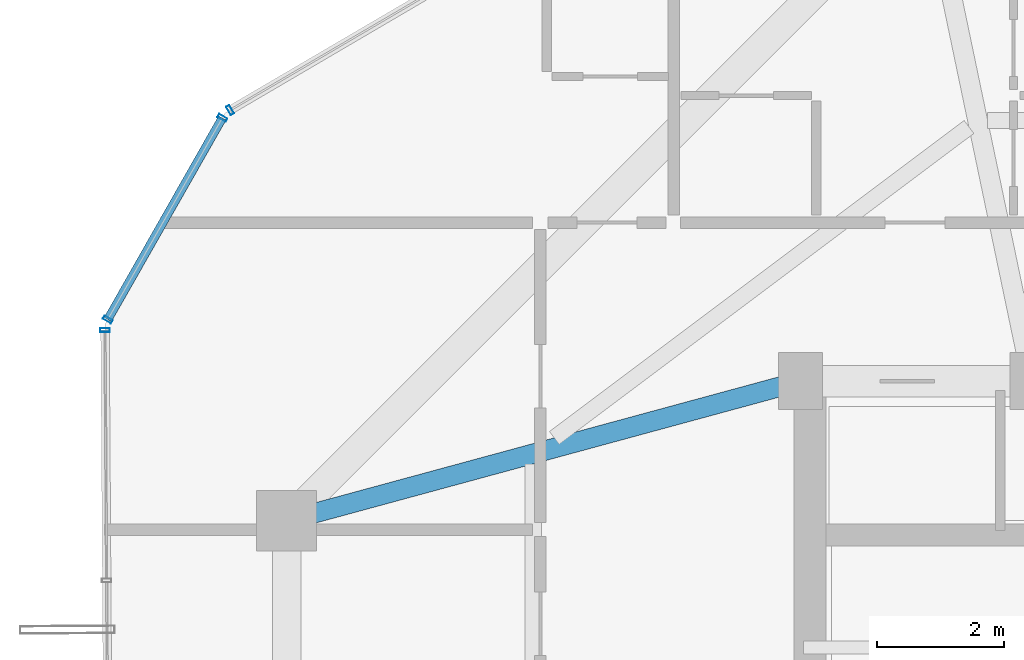
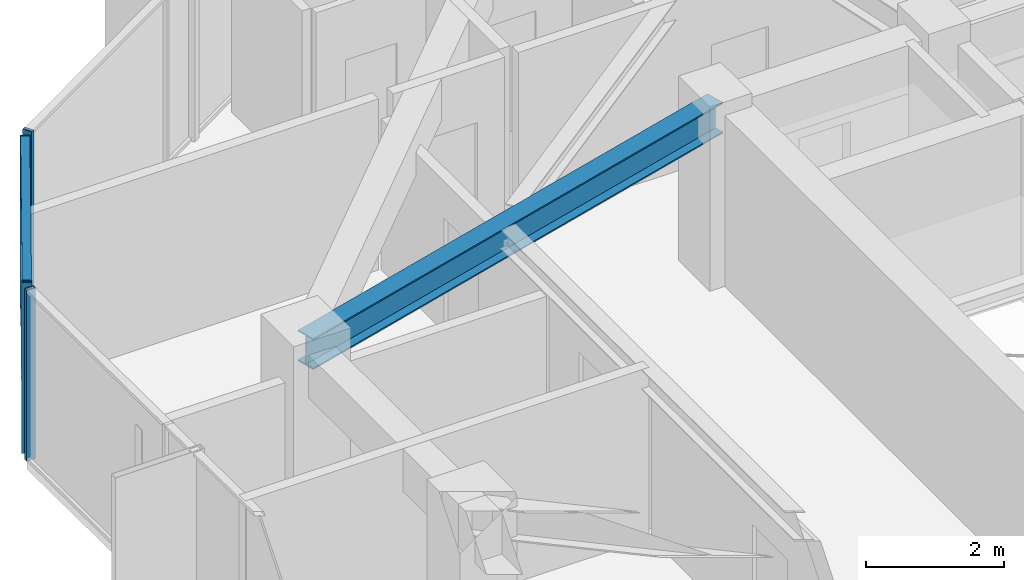
# One storey, part 15 of 31: 6 members, 1 beam, 3 elements without a shape of their own.
"""IFC4 building model written with IfcOpenShell, lengths in metres."""

from ifc_helpers import new_model, si_unit, direction, frame, origin, origin_2d, place, context, subcontext, project, spatial, hollow_rectangle, i_section, extrude, source, transform, mapped, material, layer, layer_set, material_profile, profile_set, type_object, element, aggregate, save


model = new_model("IFC4")

# Units and contexts
model_context = context("Model", 3, precision=1e-05, world=origin(), true_north=direction((0.0, 1.0)))
body_context = subcontext(model_context, "Body", "Model", "MODEL_VIEW")
ifc_project = project(units=[si_unit("LENGTHUNIT", "METRE"), si_unit("AREAUNIT", "SQUARE_METRE"), si_unit("VOLUMEUNIT", "CUBIC_METRE"), si_unit("PLANEANGLEUNIT", "RADIAN"), si_unit("MASSUNIT", "GRAM", prefix="KILO")], contexts=[model_context])

# Site, building, storey
site_placement = place(None, origin())
site = spatial("IfcSite", under=ifc_project, at=site_placement, CompositionType="ELEMENT")
building_placement = place(site_placement, origin())
building = spatial("IfcBuilding", under=site, at=building_placement, Name="Veraguas Prism Commons", CompositionType="ELEMENT")
storey_placement = place(building_placement, frame((0.0, 0.0, 204.85009765625)))
storey = spatial("IfcBuildingStorey", under=building, at=storey_placement, Name="L58", CompositionType="ELEMENT", Elevation=204.85009765625)

# Beam
ifc_material_1 = material(Name="Steel ASTM A992 Grade 50", Category="steel")
ifc_material_profile_1 = material_profile(ifc_material_1, i_section(OverallWidth=0.31103515625, OverallDepth=0.5458984375, WebThickness=0.0146484375, FlangeThickness=0.023681640625, at=origin_2d()), Name="W530X165")
ifc_profile_set_1 = profile_set([ifc_material_profile_1], Name="Steel ASTM A992 Grade 50")
beam_type = type_object("IfcBeamType", Name="Zone 3 Radial Girder W530x165", PredefinedType="BEAM", material=ifc_profile_set_1)
beam_placement = place(storey_placement, frame((9.10009765625, 28.800048828125, 2.741943359375), z_axis=(0.965038506703, 0.262108146725, 0.0), x_axis=(-0.262108146725, 0.965038506703, 0.0)))
element("IfcBeam", 1, at=beam_placement, inside=storey, type_object=beam_type, Name="Radial Floor Girder L58-RD07", PredefinedType="BEAM", context=body_context, shape_type="SweptSolid", body=[
    extrude(i_section(OverallWidth=0.31103515625, OverallDepth=0.5458984375, WebThickness=0.0146484375, FlangeThickness=0.023681640625, at=origin_2d()), origin(), (0.0, 0.0, 1.0), 8.393310546875),
])

# Curtain wall, member
ifc_material_2 = material(Name="Anodised aluminium EN AW-6063 T6", Category="aluminium")
ifc_layer = layer(ifc_material_2, 0.14990234375, Name="Unitised Flush Curtain Wall Zone 3", Category="aluminium")
ifc_layer_set = layer_set([ifc_layer], Name="Anodised aluminium EN AW-6063 T6")
curtain_wall_type = type_object("IfcCurtainWallType", Name="Unitised Flush Curtain Wall Zone 3", PredefinedType="NOTDEFINED", material=ifc_layer_set)
curtain_wall_1_placement = place(storey_placement, origin())
curtain_wall_1 = element("IfcCurtainWall", 2, at=curtain_wall_1_placement, inside=storey, type_object=curtain_wall_type, Name="Tower Facade Curtain Wall L58-F2", PredefinedType="NOTDEFINED")
ifc_material_profile_2 = material_profile(ifc_material_2, hollow_rectangle(XDim=0.06005859375, YDim=0.14990234375, WallThickness=0.0029296875, at=origin_2d()), Name="AL60X150X3")
ifc_profile_set_2 = profile_set([ifc_material_profile_2], Name="Anodised aluminium EN AW-6063 T6")
member_type_1 = type_object("IfcMemberType", Name="Curtain Wall Mullion Upper AL 60x150x3", PredefinedType="MULLION", material=ifc_profile_set_2)
shared_shape_1 = source(origin(), body_context, "Body", "SweptSolid", [
    extrude(hollow_rectangle(XDim=0.06005859375, YDim=0.14990234375, WallThickness=0.0029296875, at=origin_2d()), origin(), (0.0, 0.0, 1.0), 3.014892578125),
])
member_1_placement = place(storey_placement, frame((8.2099609375, 35.2724609375, 0.0), z_axis=(0.0, 0.0, 1.0), x_axis=(-0.86268584238, -0.505740187604, 0.0)))
member_1 = element("IfcMember", 3, at=member_1_placement, type_object=member_type_1, Name="CW-Z3 Mullion 5", PredefinedType="MULLION", context=body_context, shape_type="MappedRepresentation", body=[
    mapped(shared_shape_1, transform((0.0, 0.0, 0.0), scale=1.0)),
])
aggregate(curtain_wall_1, [member_1])

curtain_wall_2_placement = place(storey_placement, origin())
curtain_wall_2 = element("IfcCurtainWall", 4, at=curtain_wall_2_placement, inside=storey, type_object=curtain_wall_type, Name="Tower Facade Curtain Wall L58-F3", PredefinedType="NOTDEFINED")
member_2_placement = place(storey_placement, frame((6.237548828125, 31.8037109375, 0.0), z_axis=(0.0, 0.0, 1.0), x_axis=(0.006633947827, -0.999977995126, 0.0)))
member_2 = element("IfcMember", 5, at=member_2_placement, type_object=member_type_1, Name="CW-Z3 Mullion 1", PredefinedType="MULLION", context=body_context, shape_type="MappedRepresentation", body=[
    mapped(shared_shape_1, transform((0.0, 0.0, 0.0), scale=1.0)),
])
aggregate(curtain_wall_2, [member_2])

# Curtain wall, members
curtain_wall_3_placement = place(storey_placement, origin())
curtain_wall_3 = element("IfcCurtainWall", 6, at=curtain_wall_3_placement, inside=storey, type_object=curtain_wall_type, Name="Chamfer Curtain Wall L58-C3", PredefinedType="NOTDEFINED")
member_3_placement = place(storey_placement, frame((8.087646484375, 35.148681640625, 0.0), z_axis=(0.0, 0.0, 1.0), x_axis=(-0.494252933723, -0.869318145161, 0.0)))
member_3 = element("IfcMember", 7, at=member_3_placement, type_object=member_type_1, Name="CW-Z3 Mullion 1", PredefinedType="MULLION", context=body_context, shape_type="MappedRepresentation", body=[
    mapped(shared_shape_1, transform((0.0, 0.0, 0.0), scale=1.0)),
])
member_4_placement = place(storey_placement, frame((6.281494140625, 31.971923828125, 0.0), z_axis=(0.0, 0.0, 1.0), x_axis=(-0.494252933723, -0.869318145161, 0.0)))
member_4 = element("IfcMember", 8, at=member_4_placement, type_object=member_type_1, Name="CW-Z3 Mullion 2", PredefinedType="MULLION", context=body_context, shape_type="MappedRepresentation", body=[
    mapped(shared_shape_1, transform((0.0, 0.0, 0.0), scale=1.0)),
])
ifc_material_profile_3 = material_profile(ifc_material_2, hollow_rectangle(XDim=0.054931640625, YDim=0.135009765625, WallThickness=0.0029296875, at=origin_2d()), Name="AL55X135X3")
ifc_profile_set_3 = profile_set([ifc_material_profile_3], Name="Anodised aluminium EN AW-6063 T6")
member_type_2 = type_object("IfcMemberType", Name="Curtain Wall Transom Standard AL 55x135x3", PredefinedType="USERDEFINED", material=ifc_profile_set_3)
shared_shape_2 = source(origin(), body_context, "Body", "SweptSolid", [
    extrude(hollow_rectangle(XDim=0.054931640625, YDim=0.135009765625, WallThickness=0.0029296875, at=origin_2d()), origin(), (0.0, 0.0, 1.0), 3.654296875),
])
member_5_placement = place(storey_placement, frame((8.087646484375, 35.148681640625, 0.02734375), z_axis=(-0.494252728376, -0.869318261912, 0.0), x_axis=(0.0, 0.0, 1.0)))
member_5 = element("IfcMember", 9, at=member_5_placement, type_object=member_type_2, Name="CW-Z3 Transom 1", ObjectType="TRANSOM", PredefinedType="USERDEFINED", context=body_context, shape_type="MappedRepresentation", body=[
    mapped(shared_shape_2, transform((0.0, 0.0, 0.0), scale=1.0)),
])
member_6_placement = place(storey_placement, frame((8.087646484375, 35.148681640625, 2.9873046875), z_axis=(-0.494252728376, -0.869318261912, 0.0), x_axis=(0.0, 0.0, 1.0)))
member_6 = element("IfcMember", 10, at=member_6_placement, type_object=member_type_2, Name="CW-Z3 Transom 2", ObjectType="TRANSOM", PredefinedType="USERDEFINED", context=body_context, shape_type="MappedRepresentation", body=[
    mapped(shared_shape_2, transform((0.0, 0.0, 0.0), scale=1.0)),
])
aggregate(curtain_wall_3, [member_3, member_4, member_5, member_6])

save(model, "model.ifc")
